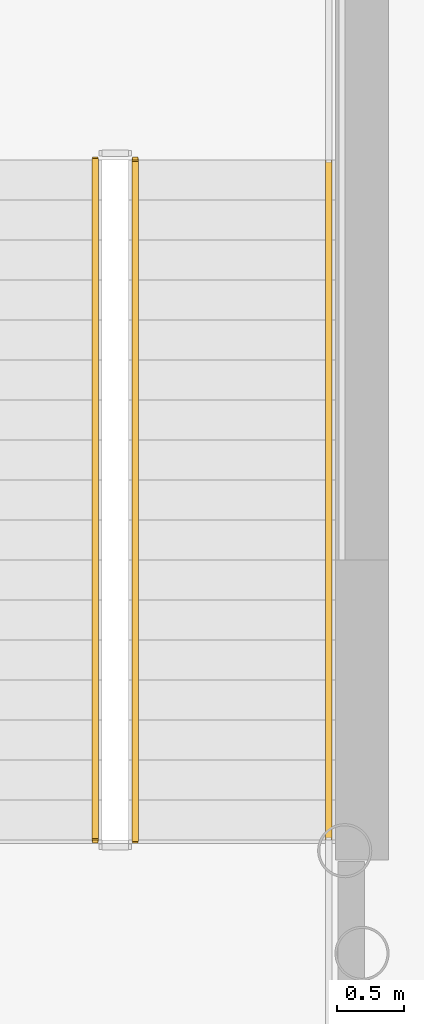
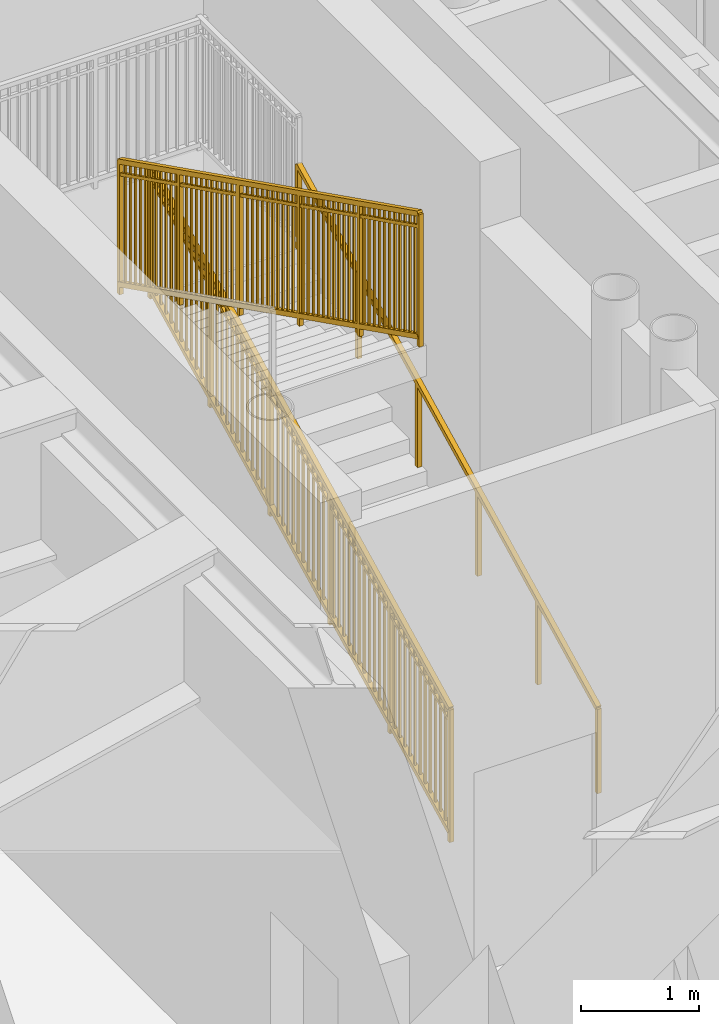
# One storey, part 10 of 14: 3 railings.
"""IFC4 building model written with IfcOpenShell, lengths in metres."""

from ifc_helpers import new_model, si_unit, direction, frame, origin, origin_2d, place, context, subcontext, project, spatial, rectangle, extrude, source, transform, mapped, material, type_object, element, save


model = new_model("IFC4")

# Units and contexts
model_context = context("Model", 3, precision=1e-05, world=origin(), true_north=direction((0.0, 1.0)))
body_context = subcontext(model_context, "Body", "Model", "MODEL_VIEW")
ifc_project = project(units=[si_unit("LENGTHUNIT", "METRE"), si_unit("AREAUNIT", "SQUARE_METRE"), si_unit("VOLUMEUNIT", "CUBIC_METRE"), si_unit("PLANEANGLEUNIT", "RADIAN"), si_unit("MASSUNIT", "GRAM", prefix="KILO")], contexts=[model_context])

# Site, building, storey
site_placement = place(None, origin())
site = spatial("IfcSite", under=ifc_project, at=site_placement, CompositionType="ELEMENT")
building_placement = place(site_placement, origin())
building = spatial("IfcBuilding", under=site, at=building_placement, Name="Linh Dai School and Residence Tower", CompositionType="ELEMENT")
storey_placement = place(building_placement, frame((0.0, 0.0, 262.800048828125)))
storey = spatial("IfcBuildingStorey", under=building, at=storey_placement, Name="L65", CompositionType="ELEMENT", Elevation=262.800048828125)

# Railings
ifc_material_1 = material(Name="Structural Steel S355JR", Category="steel")
railing_type_1 = type_object("IfcRailingType", Name="RL-ST-GUARD-1400", PredefinedType="GUARDRAIL", material=ifc_material_1)
shared_shape_1 = source(origin(), body_context, "Body", "SweptSolid", [
    extrude(rectangle(XDim=0.048095703125, YDim=0.048095703125, at=origin_2d()), frame((0.0, 0.0, 1.3759765625), z_axis=(0.0, 0.894427191, 0.4472135955), x_axis=(-1.0, 0.0, 0.0)), (0.0, 0.0, 1.0), 5.7021484375),
    extrude(rectangle(XDim=0.048095703125, YDim=0.048095703125, at=origin_2d()), frame((0.0, 0.0, 0.10009765625), z_axis=(0.0, 0.894427191, 0.4472135955), x_axis=(-1.0, 0.0, 0.0)), (0.0, 0.0, 1.0), 5.7021484375),
    extrude(rectangle(XDim=0.030029296875, YDim=0.030029296875, at=origin_2d()), frame((0.0, 0.0, 1.239990234375), z_axis=(0.0, 0.894427191, 0.4472135955), x_axis=(-1.0, 0.0, 0.0)), (0.0, 0.0, 1.0), 5.7021484375),
    extrude(rectangle(XDim=0.02001953125, YDim=0.02001953125, at=origin_2d()), frame((0.0, 0.08642578125, 0.143310546875)), (0.0, 0.0, 1.0), 1.251708984375),
    extrude(rectangle(XDim=0.02001953125, YDim=0.02001953125, at=origin_2d()), frame((0.0, 0.1728515625, 0.1865234375)), (0.0, 0.0, 1.0), 1.251708984375),
    extrude(rectangle(XDim=0.02001953125, YDim=0.02001953125, at=origin_2d()), frame((0.0, 0.25927734375, 0.229736328125)), (0.0, 0.0, 1.0), 1.251708984375),
    extrude(rectangle(XDim=0.02001953125, YDim=0.02001953125, at=origin_2d()), frame((0.0, 0.345703125, 0.27294921875)), (0.0, 0.0, 1.0), 1.251708984375),
    extrude(rectangle(XDim=0.02001953125, YDim=0.02001953125, at=origin_2d()), frame((0.0, 0.43212890625, 0.316162109375)), (0.0, 0.0, 1.0), 1.251708984375),
    extrude(rectangle(XDim=0.02001953125, YDim=0.02001953125, at=origin_2d()), frame((0.0, 0.5185546875, 0.359375)), (0.0, 0.0, 1.0), 1.251708984375),
    extrude(rectangle(XDim=0.02001953125, YDim=0.02001953125, at=origin_2d()), frame((0.0, 0.60498046875, 0.402587890625)), (0.0, 0.0, 1.0), 1.251708984375),
    extrude(rectangle(XDim=0.02001953125, YDim=0.02001953125, at=origin_2d()), frame((0.0, 0.691650390625, 0.44580078125)), (0.0, 0.0, 1.0), 1.251708984375),
    extrude(rectangle(XDim=0.02001953125, YDim=0.02001953125, at=origin_2d()), frame((0.0, 0.778076171875, 0.489013671875)), (0.0, 0.0, 1.0), 1.251708984375),
    extrude(rectangle(XDim=0.02001953125, YDim=0.02001953125, at=origin_2d()), frame((0.0, 0.864501953125, 0.5322265625)), (0.0, 0.0, 1.0), 1.251708984375),
    extrude(rectangle(XDim=0.02001953125, YDim=0.02001953125, at=origin_2d()), frame((0.0, 0.950927734375, 0.575439453125)), (0.0, 0.0, 1.0), 1.251708984375),
    extrude(rectangle(XDim=0.02001953125, YDim=0.02001953125, at=origin_2d()), frame((0.0, 1.123779296875, 0.661865234375)), (0.0, 0.0, 1.0), 1.251708984375),
    extrude(rectangle(XDim=0.02001953125, YDim=0.02001953125, at=origin_2d()), frame((0.0, 1.210205078125, 0.705078125)), (0.0, 0.0, 1.0), 1.251708984375),
    extrude(rectangle(XDim=0.02001953125, YDim=0.02001953125, at=origin_2d()), frame((0.0, 1.296630859375, 0.74853515625)), (0.0, 0.0, 1.0), 1.251708984375),
    extrude(rectangle(XDim=0.02001953125, YDim=0.02001953125, at=origin_2d()), frame((0.0, 1.383056640625, 0.791748046875)), (0.0, 0.0, 1.0), 1.251708984375),
    extrude(rectangle(XDim=0.02001953125, YDim=0.02001953125, at=origin_2d()), frame((0.0, 1.469482421875, 0.8349609375)), (0.0, 0.0, 1.0), 1.251708984375),
    extrude(rectangle(XDim=0.02001953125, YDim=0.02001953125, at=origin_2d()), frame((0.0, 1.555908203125, 0.878173828125)), (0.0, 0.0, 1.0), 1.251708984375),
    extrude(rectangle(XDim=0.02001953125, YDim=0.02001953125, at=origin_2d()), frame((0.0, 1.642333984375, 0.92138671875)), (0.0, 0.0, 1.0), 1.251708984375),
    extrude(rectangle(XDim=0.02001953125, YDim=0.02001953125, at=origin_2d()), frame((0.0, 1.728759765625, 0.964599609375)), (0.0, 0.0, 1.0), 1.251708984375),
    extrude(rectangle(XDim=0.02001953125, YDim=0.02001953125, at=origin_2d()), frame((0.0, 1.815185546875, 1.0078125)), (0.0, 0.0, 1.0), 1.251708984375),
    extrude(rectangle(XDim=0.02001953125, YDim=0.02001953125, at=origin_2d()), frame((0.0, 1.901611328125, 1.051025390625)), (0.0, 0.0, 1.0), 1.251708984375),
    extrude(rectangle(XDim=0.02001953125, YDim=0.02001953125, at=origin_2d()), frame((0.0, 1.98828125, 1.09423828125)), (0.0, 0.0, 1.0), 1.251708984375),
    extrude(rectangle(XDim=0.02001953125, YDim=0.02001953125, at=origin_2d()), frame((0.0, 2.1611328125, 1.1806640625)), (0.0, 0.0, 1.0), 1.251708984375),
    extrude(rectangle(XDim=0.02001953125, YDim=0.02001953125, at=origin_2d()), frame((0.0, 2.24755859375, 1.223876953125)), (0.0, 0.0, 1.0), 1.251708984375),
    extrude(rectangle(XDim=0.02001953125, YDim=0.02001953125, at=origin_2d()), frame((0.0, 2.333984375, 1.26708984375)), (0.0, 0.0, 1.0), 1.251708984375),
    extrude(rectangle(XDim=0.02001953125, YDim=0.02001953125, at=origin_2d()), frame((0.0, 2.42041015625, 1.310302734375)), (0.0, 0.0, 1.0), 1.251708984375),
    extrude(rectangle(XDim=0.02001953125, YDim=0.02001953125, at=origin_2d()), frame((0.0, 2.5068359375, 1.353515625)), (0.0, 0.0, 1.0), 1.251708984375),
    extrude(rectangle(XDim=0.02001953125, YDim=0.02001953125, at=origin_2d()), frame((0.0, 2.59326171875, 1.396728515625)), (0.0, 0.0, 1.0), 1.251708984375),
    extrude(rectangle(XDim=0.02001953125, YDim=0.02001953125, at=origin_2d()), frame((0.0, 2.6796875, 1.43994140625)), (0.0, 0.0, 1.0), 1.251708984375),
    extrude(rectangle(XDim=0.02001953125, YDim=0.02001953125, at=origin_2d()), frame((0.0, 2.76611328125, 1.483154296875)), (0.0, 0.0, 1.0), 1.251708984375),
    extrude(rectangle(XDim=0.02001953125, YDim=0.02001953125, at=origin_2d()), frame((0.0, 2.8525390625, 1.5263671875)), (0.0, 0.0, 1.0), 1.251708984375),
    extrude(rectangle(XDim=0.02001953125, YDim=0.02001953125, at=origin_2d()), frame((0.0, 2.93896484375, 1.569580078125)), (0.0, 0.0, 1.0), 1.251708984375),
    extrude(rectangle(XDim=0.02001953125, YDim=0.02001953125, at=origin_2d()), frame((0.0, 3.11181640625, 1.656005859375)), (0.0, 0.0, 1.0), 1.251708984375),
    extrude(rectangle(XDim=0.02001953125, YDim=0.02001953125, at=origin_2d()), frame((0.0, 3.198486328125, 1.69921875)), (0.0, 0.0, 1.0), 1.251708984375),
    extrude(rectangle(XDim=0.02001953125, YDim=0.02001953125, at=origin_2d()), frame((0.0, 3.284912109375, 1.742431640625)), (0.0, 0.0, 1.0), 1.251708984375),
    extrude(rectangle(XDim=0.02001953125, YDim=0.02001953125, at=origin_2d()), frame((0.0, 3.371337890625, 1.78564453125)), (0.0, 0.0, 1.0), 1.251708984375),
    extrude(rectangle(XDim=0.02001953125, YDim=0.02001953125, at=origin_2d()), frame((0.0, 3.457763671875, 1.828857421875)), (0.0, 0.0, 1.0), 1.251708984375),
    extrude(rectangle(XDim=0.02001953125, YDim=0.02001953125, at=origin_2d()), frame((0.0, 3.544189453125, 1.8720703125)), (0.0, 0.0, 1.0), 1.251708984375),
    extrude(rectangle(XDim=0.02001953125, YDim=0.02001953125, at=origin_2d()), frame((0.0, 3.630615234375, 1.915283203125)), (0.0, 0.0, 1.0), 1.251708984375),
    extrude(rectangle(XDim=0.02001953125, YDim=0.02001953125, at=origin_2d()), frame((0.0, 3.717041015625, 1.95849609375)), (0.0, 0.0, 1.0), 1.251708984375),
    extrude(rectangle(XDim=0.02001953125, YDim=0.02001953125, at=origin_2d()), frame((0.0, 3.803466796875, 2.001708984375)), (0.0, 0.0, 1.0), 1.251708984375),
    extrude(rectangle(XDim=0.02001953125, YDim=0.02001953125, at=origin_2d()), frame((0.0, 3.889892578125, 2.045166015625)), (0.0, 0.0, 1.0), 1.251708984375),
    extrude(rectangle(XDim=0.02001953125, YDim=0.02001953125, at=origin_2d()), frame((0.0, 3.976318359375, 2.08837890625)), (0.0, 0.0, 1.0), 1.251708984375),
    extrude(rectangle(XDim=0.02001953125, YDim=0.02001953125, at=origin_2d()), frame((0.0, 4.149169921875, 2.1748046875)), (0.0, 0.0, 1.0), 1.251708984375),
    extrude(rectangle(XDim=0.02001953125, YDim=0.02001953125, at=origin_2d()), frame((0.0, 4.235595703125, 2.218017578125)), (0.0, 0.0, 1.0), 1.251708984375),
    extrude(rectangle(XDim=0.02001953125, YDim=0.02001953125, at=origin_2d()), frame((0.0, 4.322021484375, 2.26123046875)), (0.0, 0.0, 1.0), 1.251708984375),
    extrude(rectangle(XDim=0.02001953125, YDim=0.02001953125, at=origin_2d()), frame((0.0, 4.408447265625, 2.304443359375)), (0.0, 0.0, 1.0), 1.251708984375),
    extrude(rectangle(XDim=0.02001953125, YDim=0.02001953125, at=origin_2d()), frame((0.0, 4.4951171875, 2.34765625)), (0.0, 0.0, 1.0), 1.251708984375),
    extrude(rectangle(XDim=0.02001953125, YDim=0.02001953125, at=origin_2d()), frame((0.0, 4.58154296875, 2.390869140625)), (0.0, 0.0, 1.0), 1.251708984375),
    extrude(rectangle(XDim=0.02001953125, YDim=0.02001953125, at=origin_2d()), frame((0.0, 4.66796875, 2.43408203125)), (0.0, 0.0, 1.0), 1.251708984375),
    extrude(rectangle(XDim=0.02001953125, YDim=0.02001953125, at=origin_2d()), frame((0.0, 4.75439453125, 2.477294921875)), (0.0, 0.0, 1.0), 1.251708984375),
    extrude(rectangle(XDim=0.02001953125, YDim=0.02001953125, at=origin_2d()), frame((0.0, 4.8408203125, 2.5205078125)), (0.0, 0.0, 1.0), 1.251708984375),
    extrude(rectangle(XDim=0.02001953125, YDim=0.02001953125, at=origin_2d()), frame((0.0, 4.92724609375, 2.563720703125)), (0.0, 0.0, 1.0), 1.251708984375),
    extrude(rectangle(XDim=0.02001953125, YDim=0.02001953125, at=origin_2d()), frame((0.0, 5.013671875, 2.60693359375)), (0.0, 0.0, 1.0), 1.251708984375),
    extrude(rectangle(XDim=0.0419921875, YDim=0.0419921875, at=origin_2d()), origin(), (0.0, 0.0, 1.0), 1.3759765625),
    extrude(rectangle(XDim=0.0419921875, YDim=0.0419921875, at=origin_2d()), frame((0.0, 1.02001953125, 0.510009765625)), (0.0, 0.0, 1.0), 1.3759765625),
    extrude(rectangle(XDim=0.0419921875, YDim=0.0419921875, at=origin_2d()), frame((0.0, 2.0400390625, 1.02001953125)), (0.0, 0.0, 1.0), 1.3759765625),
    extrude(rectangle(XDim=0.0419921875, YDim=0.0419921875, at=origin_2d()), frame((0.0, 3.06005859375, 1.530029296875)), (0.0, 0.0, 1.0), 1.3759765625),
    extrude(rectangle(XDim=0.0419921875, YDim=0.0419921875, at=origin_2d()), frame((0.0, 4.080078125, 2.0400390625)), (0.0, 0.0, 1.0), 1.3759765625),
    extrude(rectangle(XDim=0.0419921875, YDim=0.0419921875, at=origin_2d()), frame((0.0, 5.10009765625, 2.550048828125)), (0.0, 0.0, 1.0), 1.3759765625),
])
railing_1_placement = place(storey_placement, frame((29.47998046875, 25.699951171875, 0.14990234375)))
element("IfcRailing", 1, at=railing_1_placement, inside=storey, type_object=railing_type_1, Name="L65 ST1 stair guard 1", PredefinedType="GUARDRAIL", context=body_context, shape_type="MappedRepresentation", body=[
    mapped(shared_shape_1, transform((0.0, 0.0, 0.0), x_axis=(1.0, 0.0, 0.0), y_axis=(0.0, 1.0, 0.0), z_axis=(0.0, 0.0, 1.0), scale=1.0)),
])
ifc_material_2 = material(Name="Brushed Stainless Steel Handrail", Category="steel")
railing_type_2 = type_object("IfcRailingType", Name="RL-ST-HANDRAIL-900", PredefinedType="HANDRAIL", material=ifc_material_2)
shared_shape_2 = source(origin(), body_context, "Body", "SweptSolid", [
    extrude(rectangle(XDim=0.048095703125, YDim=0.048095703125, at=origin_2d()), frame((0.0, 0.0, 0.8759765625), z_axis=(0.0, 0.894427191, 0.4472135955), x_axis=(-1.0, 0.0, 0.0)), (0.0, 0.0, 1.0), 5.7021484375),
    extrude(rectangle(XDim=0.0419921875, YDim=0.0419921875, at=origin_2d()), origin(), (0.0, 0.0, 1.0), 0.8759765625),
    extrude(rectangle(XDim=0.0419921875, YDim=0.0419921875, at=origin_2d()), frame((0.0, 1.02001953125, 0.510009765625)), (0.0, 0.0, 1.0), 0.8759765625),
    extrude(rectangle(XDim=0.0419921875, YDim=0.0419921875, at=origin_2d()), frame((0.0, 2.0400390625, 1.02001953125)), (0.0, 0.0, 1.0), 0.8759765625),
    extrude(rectangle(XDim=0.0419921875, YDim=0.0419921875, at=origin_2d()), frame((0.0, 3.06005859375, 1.530029296875)), (0.0, 0.0, 1.0), 0.8759765625),
    extrude(rectangle(XDim=0.0419921875, YDim=0.0419921875, at=origin_2d()), frame((0.0, 4.080078125, 2.0400390625)), (0.0, 0.0, 1.0), 0.8759765625),
    extrude(rectangle(XDim=0.0419921875, YDim=0.0419921875, at=origin_2d()), frame((0.0, 5.10009765625, 2.550048828125)), (0.0, 0.0, 1.0), 0.8759765625),
])
railing_2_placement = place(storey_placement, frame((30.929931640625, 25.699951171875, 0.14990234375)))
element("IfcRailing", 2, at=railing_2_placement, inside=storey, type_object=railing_type_2, Name="L65 ST1 stair handrail 1", PredefinedType="HANDRAIL", context=body_context, shape_type="MappedRepresentation", body=[
    mapped(shared_shape_2, transform((0.0, 0.0, 0.0), x_axis=(1.0, 0.0, 0.0), y_axis=(0.0, 1.0, 0.0), z_axis=(0.0, 0.0, 1.0), scale=1.0)),
])
shared_shape_3 = source(origin(), body_context, "Body", "SweptSolid", [
    extrude(rectangle(XDim=0.048095703125, YDim=0.048095703125, at=origin_2d()), frame((0.0, 0.0, 1.3759765625), z_axis=(0.0, -0.894427191, 0.4472135955), x_axis=(1.0, 0.0, 0.0)), (0.0, 0.0, 1.0), 5.7021484375),
    extrude(rectangle(XDim=0.048095703125, YDim=0.048095703125, at=origin_2d()), frame((0.0, 0.0, 0.10009765625), z_axis=(0.0, -0.894427191, 0.4472135955), x_axis=(1.0, 0.0, 0.0)), (0.0, 0.0, 1.0), 5.7021484375),
    extrude(rectangle(XDim=0.030029296875, YDim=0.030029296875, at=origin_2d()), frame((0.0, 0.0, 1.239990234375), z_axis=(0.0, -0.894427191, 0.4472135955), x_axis=(1.0, 0.0, 0.0)), (0.0, 0.0, 1.0), 5.7021484375),
    extrude(rectangle(XDim=0.02001953125, YDim=0.02001953125, at=origin_2d()), frame((0.0, -0.08642578125, 0.143310546875)), (0.0, 0.0, 1.0), 1.251708984375),
    extrude(rectangle(XDim=0.02001953125, YDim=0.02001953125, at=origin_2d()), frame((0.0, -0.1728515625, 0.1865234375)), (0.0, 0.0, 1.0), 1.251708984375),
    extrude(rectangle(XDim=0.02001953125, YDim=0.02001953125, at=origin_2d()), frame((0.0, -0.25927734375, 0.229736328125)), (0.0, 0.0, 1.0), 1.251708984375),
    extrude(rectangle(XDim=0.02001953125, YDim=0.02001953125, at=origin_2d()), frame((0.0, -0.345703125, 0.27294921875)), (0.0, 0.0, 1.0), 1.251708984375),
    extrude(rectangle(XDim=0.02001953125, YDim=0.02001953125, at=origin_2d()), frame((0.0, -0.43212890625, 0.316162109375)), (0.0, 0.0, 1.0), 1.251708984375),
    extrude(rectangle(XDim=0.02001953125, YDim=0.02001953125, at=origin_2d()), frame((0.0, -0.5185546875, 0.359375)), (0.0, 0.0, 1.0), 1.251708984375),
    extrude(rectangle(XDim=0.02001953125, YDim=0.02001953125, at=origin_2d()), frame((0.0, -0.60498046875, 0.402587890625)), (0.0, 0.0, 1.0), 1.251708984375),
    extrude(rectangle(XDim=0.02001953125, YDim=0.02001953125, at=origin_2d()), frame((0.0, -0.691650390625, 0.44580078125)), (0.0, 0.0, 1.0), 1.251708984375),
    extrude(rectangle(XDim=0.02001953125, YDim=0.02001953125, at=origin_2d()), frame((0.0, -0.778076171875, 0.489013671875)), (0.0, 0.0, 1.0), 1.251708984375),
    extrude(rectangle(XDim=0.02001953125, YDim=0.02001953125, at=origin_2d()), frame((0.0, -0.864501953125, 0.5322265625)), (0.0, 0.0, 1.0), 1.251708984375),
    extrude(rectangle(XDim=0.02001953125, YDim=0.02001953125, at=origin_2d()), frame((0.0, -0.950927734375, 0.575439453125)), (0.0, 0.0, 1.0), 1.251708984375),
    extrude(rectangle(XDim=0.02001953125, YDim=0.02001953125, at=origin_2d()), frame((0.0, -1.123779296875, 0.661865234375)), (0.0, 0.0, 1.0), 1.251708984375),
    extrude(rectangle(XDim=0.02001953125, YDim=0.02001953125, at=origin_2d()), frame((0.0, -1.210205078125, 0.705078125)), (0.0, 0.0, 1.0), 1.251708984375),
    extrude(rectangle(XDim=0.02001953125, YDim=0.02001953125, at=origin_2d()), frame((0.0, -1.296630859375, 0.74853515625)), (0.0, 0.0, 1.0), 1.251708984375),
    extrude(rectangle(XDim=0.02001953125, YDim=0.02001953125, at=origin_2d()), frame((0.0, -1.383056640625, 0.791748046875)), (0.0, 0.0, 1.0), 1.251708984375),
    extrude(rectangle(XDim=0.02001953125, YDim=0.02001953125, at=origin_2d()), frame((0.0, -1.469482421875, 0.8349609375)), (0.0, 0.0, 1.0), 1.251708984375),
    extrude(rectangle(XDim=0.02001953125, YDim=0.02001953125, at=origin_2d()), frame((0.0, -1.555908203125, 0.878173828125)), (0.0, 0.0, 1.0), 1.251708984375),
    extrude(rectangle(XDim=0.02001953125, YDim=0.02001953125, at=origin_2d()), frame((0.0, -1.642333984375, 0.92138671875)), (0.0, 0.0, 1.0), 1.251708984375),
    extrude(rectangle(XDim=0.02001953125, YDim=0.02001953125, at=origin_2d()), frame((0.0, -1.728759765625, 0.964599609375)), (0.0, 0.0, 1.0), 1.251708984375),
    extrude(rectangle(XDim=0.02001953125, YDim=0.02001953125, at=origin_2d()), frame((0.0, -1.815185546875, 1.0078125)), (0.0, 0.0, 1.0), 1.251708984375),
    extrude(rectangle(XDim=0.02001953125, YDim=0.02001953125, at=origin_2d()), frame((0.0, -1.901611328125, 1.051025390625)), (0.0, 0.0, 1.0), 1.251708984375),
    extrude(rectangle(XDim=0.02001953125, YDim=0.02001953125, at=origin_2d()), frame((0.0, -1.98828125, 1.09423828125)), (0.0, 0.0, 1.0), 1.251708984375),
    extrude(rectangle(XDim=0.02001953125, YDim=0.02001953125, at=origin_2d()), frame((0.0, -2.1611328125, 1.1806640625)), (0.0, 0.0, 1.0), 1.251708984375),
    extrude(rectangle(XDim=0.02001953125, YDim=0.02001953125, at=origin_2d()), frame((0.0, -2.24755859375, 1.223876953125)), (0.0, 0.0, 1.0), 1.251708984375),
    extrude(rectangle(XDim=0.02001953125, YDim=0.02001953125, at=origin_2d()), frame((0.0, -2.333984375, 1.26708984375)), (0.0, 0.0, 1.0), 1.251708984375),
    extrude(rectangle(XDim=0.02001953125, YDim=0.02001953125, at=origin_2d()), frame((0.0, -2.42041015625, 1.310302734375)), (0.0, 0.0, 1.0), 1.251708984375),
    extrude(rectangle(XDim=0.02001953125, YDim=0.02001953125, at=origin_2d()), frame((0.0, -2.5068359375, 1.353515625)), (0.0, 0.0, 1.0), 1.251708984375),
    extrude(rectangle(XDim=0.02001953125, YDim=0.02001953125, at=origin_2d()), frame((0.0, -2.59326171875, 1.396728515625)), (0.0, 0.0, 1.0), 1.251708984375),
    extrude(rectangle(XDim=0.02001953125, YDim=0.02001953125, at=origin_2d()), frame((0.0, -2.6796875, 1.43994140625)), (0.0, 0.0, 1.0), 1.251708984375),
    extrude(rectangle(XDim=0.02001953125, YDim=0.02001953125, at=origin_2d()), frame((0.0, -2.76611328125, 1.483154296875)), (0.0, 0.0, 1.0), 1.251708984375),
    extrude(rectangle(XDim=0.02001953125, YDim=0.02001953125, at=origin_2d()), frame((0.0, -2.8525390625, 1.5263671875)), (0.0, 0.0, 1.0), 1.251708984375),
    extrude(rectangle(XDim=0.02001953125, YDim=0.02001953125, at=origin_2d()), frame((0.0, -2.93896484375, 1.569580078125)), (0.0, 0.0, 1.0), 1.251708984375),
    extrude(rectangle(XDim=0.02001953125, YDim=0.02001953125, at=origin_2d()), frame((0.0, -3.11181640625, 1.656005859375)), (0.0, 0.0, 1.0), 1.251708984375),
    extrude(rectangle(XDim=0.02001953125, YDim=0.02001953125, at=origin_2d()), frame((0.0, -3.198486328125, 1.69921875)), (0.0, 0.0, 1.0), 1.251708984375),
    extrude(rectangle(XDim=0.02001953125, YDim=0.02001953125, at=origin_2d()), frame((0.0, -3.284912109375, 1.742431640625)), (0.0, 0.0, 1.0), 1.251708984375),
    extrude(rectangle(XDim=0.02001953125, YDim=0.02001953125, at=origin_2d()), frame((0.0, -3.371337890625, 1.78564453125)), (0.0, 0.0, 1.0), 1.251708984375),
    extrude(rectangle(XDim=0.02001953125, YDim=0.02001953125, at=origin_2d()), frame((0.0, -3.457763671875, 1.828857421875)), (0.0, 0.0, 1.0), 1.251708984375),
    extrude(rectangle(XDim=0.02001953125, YDim=0.02001953125, at=origin_2d()), frame((0.0, -3.544189453125, 1.8720703125)), (0.0, 0.0, 1.0), 1.251708984375),
    extrude(rectangle(XDim=0.02001953125, YDim=0.02001953125, at=origin_2d()), frame((0.0, -3.630615234375, 1.915283203125)), (0.0, 0.0, 1.0), 1.251708984375),
    extrude(rectangle(XDim=0.02001953125, YDim=0.02001953125, at=origin_2d()), frame((0.0, -3.717041015625, 1.95849609375)), (0.0, 0.0, 1.0), 1.251708984375),
    extrude(rectangle(XDim=0.02001953125, YDim=0.02001953125, at=origin_2d()), frame((0.0, -3.803466796875, 2.001708984375)), (0.0, 0.0, 1.0), 1.251708984375),
    extrude(rectangle(XDim=0.02001953125, YDim=0.02001953125, at=origin_2d()), frame((0.0, -3.889892578125, 2.045166015625)), (0.0, 0.0, 1.0), 1.251708984375),
    extrude(rectangle(XDim=0.02001953125, YDim=0.02001953125, at=origin_2d()), frame((0.0, -3.976318359375, 2.08837890625)), (0.0, 0.0, 1.0), 1.251708984375),
    extrude(rectangle(XDim=0.02001953125, YDim=0.02001953125, at=origin_2d()), frame((0.0, -4.149169921875, 2.1748046875)), (0.0, 0.0, 1.0), 1.251708984375),
    extrude(rectangle(XDim=0.02001953125, YDim=0.02001953125, at=origin_2d()), frame((0.0, -4.235595703125, 2.218017578125)), (0.0, 0.0, 1.0), 1.251708984375),
    extrude(rectangle(XDim=0.02001953125, YDim=0.02001953125, at=origin_2d()), frame((0.0, -4.322021484375, 2.26123046875)), (0.0, 0.0, 1.0), 1.251708984375),
    extrude(rectangle(XDim=0.02001953125, YDim=0.02001953125, at=origin_2d()), frame((0.0, -4.408447265625, 2.304443359375)), (0.0, 0.0, 1.0), 1.251708984375),
    extrude(rectangle(XDim=0.02001953125, YDim=0.02001953125, at=origin_2d()), frame((0.0, -4.4951171875, 2.34765625)), (0.0, 0.0, 1.0), 1.251708984375),
    extrude(rectangle(XDim=0.02001953125, YDim=0.02001953125, at=origin_2d()), frame((0.0, -4.58154296875, 2.390869140625)), (0.0, 0.0, 1.0), 1.251708984375),
    extrude(rectangle(XDim=0.02001953125, YDim=0.02001953125, at=origin_2d()), frame((0.0, -4.66796875, 2.43408203125)), (0.0, 0.0, 1.0), 1.251708984375),
    extrude(rectangle(XDim=0.02001953125, YDim=0.02001953125, at=origin_2d()), frame((0.0, -4.75439453125, 2.477294921875)), (0.0, 0.0, 1.0), 1.251708984375),
    extrude(rectangle(XDim=0.02001953125, YDim=0.02001953125, at=origin_2d()), frame((0.0, -4.8408203125, 2.5205078125)), (0.0, 0.0, 1.0), 1.251708984375),
    extrude(rectangle(XDim=0.02001953125, YDim=0.02001953125, at=origin_2d()), frame((0.0, -4.92724609375, 2.563720703125)), (0.0, 0.0, 1.0), 1.251708984375),
    extrude(rectangle(XDim=0.02001953125, YDim=0.02001953125, at=origin_2d()), frame((0.0, -5.013671875, 2.60693359375)), (0.0, 0.0, 1.0), 1.251708984375),
    extrude(rectangle(XDim=0.0419921875, YDim=0.0419921875, at=origin_2d()), origin(), (0.0, 0.0, 1.0), 1.3759765625),
    extrude(rectangle(XDim=0.0419921875, YDim=0.0419921875, at=origin_2d()), frame((0.0, -1.02001953125, 0.510009765625)), (0.0, 0.0, 1.0), 1.3759765625),
    extrude(rectangle(XDim=0.0419921875, YDim=0.0419921875, at=origin_2d()), frame((0.0, -2.0400390625, 1.02001953125)), (0.0, 0.0, 1.0), 1.3759765625),
    extrude(rectangle(XDim=0.0419921875, YDim=0.0419921875, at=origin_2d()), frame((0.0, -3.06005859375, 1.530029296875)), (0.0, 0.0, 1.0), 1.3759765625),
    extrude(rectangle(XDim=0.0419921875, YDim=0.0419921875, at=origin_2d()), frame((0.0, -4.080078125, 2.0400390625)), (0.0, 0.0, 1.0), 1.3759765625),
    extrude(rectangle(XDim=0.0419921875, YDim=0.0419921875, at=origin_2d()), frame((0.0, -5.10009765625, 2.550048828125)), (0.0, 0.0, 1.0), 1.3759765625),
])
railing_3_placement = place(storey_placement, frame((29.179931640625, 30.800048828125, 2.849853515625)))
element("IfcRailing", 3, at=railing_3_placement, inside=storey, type_object=railing_type_1, Name="L65 ST1 stair guard 6", PredefinedType="GUARDRAIL", context=body_context, shape_type="MappedRepresentation", body=[
    mapped(shared_shape_3, transform((0.0, 0.0, 0.0), x_axis=(1.0, 0.0, 0.0), y_axis=(0.0, 1.0, 0.0), z_axis=(0.0, 0.0, 1.0), scale=1.0)),
])

save(model, "model.ifc")
